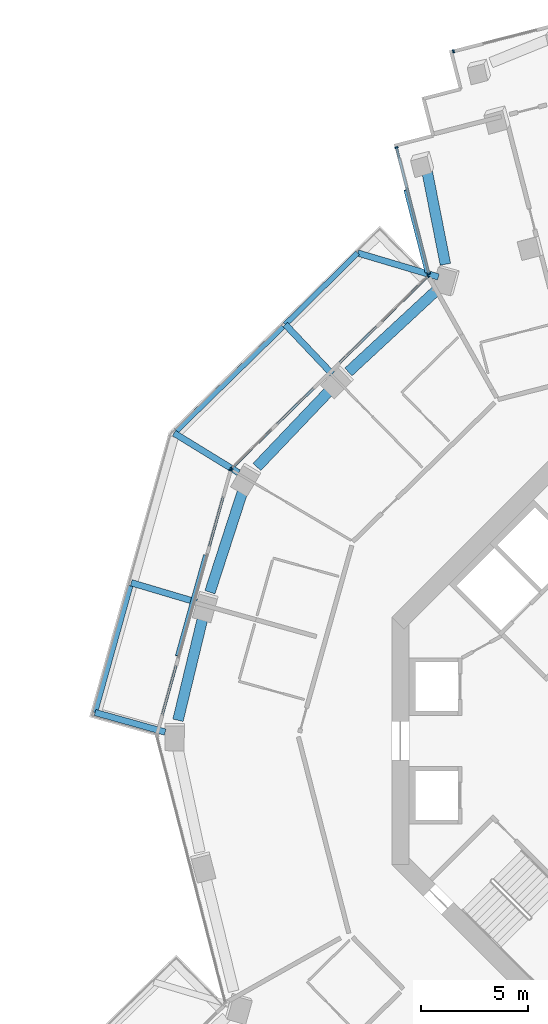
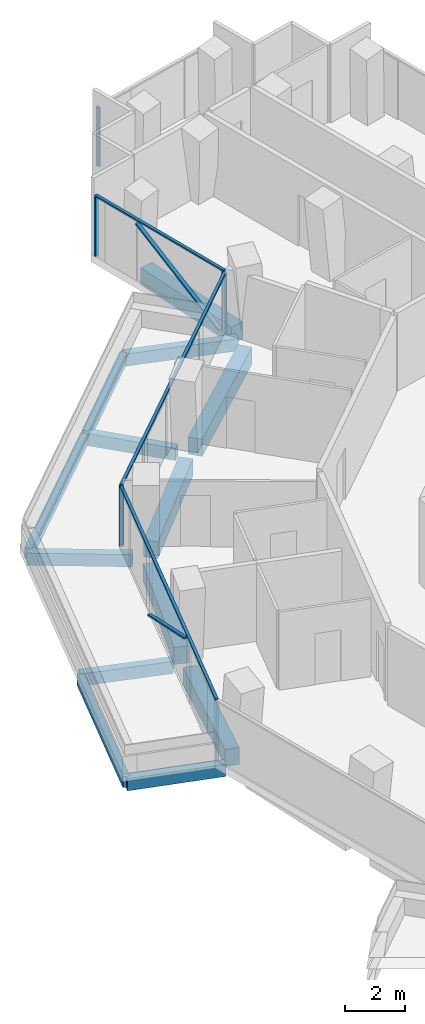
# One storey, part 7 of 26: 13 beams, 11 members, 4 elements without a shape of their own.
"""IFC4 building model written with IfcOpenShell, lengths in metres."""

import ifcopenshell
import ifcopenshell.guid

model = None  # the IFC model being written
_history = None  # IfcOwnerHistory: only IFC2X3 demands one
_inside = {}  # id of a spatial element -> (the spatial element, [elements in it])
_under = {}  # id of a project, library or spatial element -> (it, [spatial elements below it])
_declared = {}  # id of a project -> (the project, [libraries it declares])
_typed = {}  # id of a type object -> (the type object, [elements of that type])
_made_of = {}  # id of a material, layer set ... -> (it, [elements and type objects made of it])


def new_model(schema):
    """Start an empty IFC model of exactly this schema.

    Asked for "IFC4X3", IfcOpenShell would pick the latest addendum, in which some entities
    have other attributes; the version numbers below select the first issue.
    IFC2X3 requires an IfcOwnerHistory on every rooted entity: one is made here for all.
    """
    global model, _history
    if schema == "IFC4X3":
        model = ifcopenshell.file(schema_version=(4, 3, 0, 0))
    else:
        model = ifcopenshell.file(schema=schema)
    _inside.clear()
    _under.clear()
    _declared.clear()
    _typed.clear()
    _made_of.clear()
    _history = None
    if model.schema == "IFC2X3":
        org = make("IfcOrganization", Name="unknown")
        user = make(
            "IfcPersonAndOrganization",
            ThePerson=make("IfcPerson", FamilyName="unknown"),
            TheOrganization=org,
        )
        app = make(
            "IfcApplication",
            ApplicationDeveloper=org,
            Version="unknown",
            ApplicationFullName="unknown",
            ApplicationIdentifier="unknown",
        )
        _history = make(
            "IfcOwnerHistory",
            OwningUser=user,
            OwningApplication=app,
            ChangeAction="ADDED",
            CreationDate=0,
        )
    return model


def make(cls, **values):
    """One entity of the class cls with the attributes given. An attribute that is None is left unset."""
    return model.create_entity(
        cls, **{name: value for name, value in values.items() if value is not None}
    )


def rooted(cls, **values):
    """An entity with a GlobalId (a new one), such as an element, a storey or a relation."""
    return make(cls, GlobalId=ifcopenshell.guid.new(), OwnerHistory=_history, **values)


def si_unit(unit_type, name, prefix=None):
    """IfcSIUnit, for example si_unit("LENGTHUNIT", "METRE", prefix="MILLI")."""
    return make("IfcSIUnit", UnitType=unit_type, Prefix=prefix, Name=name)


def assignment(units):
    """IfcUnitAssignment: the units of a project."""
    return None if units is None else make("IfcUnitAssignment", Units=units)


def point(xyz):
    """IfcCartesianPoint."""
    return None if xyz is None else make("IfcCartesianPoint", Coordinates=xyz)


def direction(xyz):
    """IfcDirection."""
    return None if xyz is None else make("IfcDirection", DirectionRatios=xyz)


def frame(location, z_axis=None, x_axis=None):
    """IfcAxis2Placement3D, a coordinate frame: its origin and axes. An axis left out is left unset."""
    return make(
        "IfcAxis2Placement3D",
        Location=point(location),
        Axis=direction(z_axis),
        RefDirection=direction(x_axis),
    )


def frame_2d(location, x_axis=None):
    """IfcAxis2Placement2D, a coordinate frame in the plane: its origin and x axis."""
    return make(
        "IfcAxis2Placement2D", Location=point(location), RefDirection=direction(x_axis)
    )


def origin():
    """The frame at (0, 0, 0) with its axes left unset."""
    return frame((0.0, 0.0, 0.0))


def origin_2d():
    """The frame at (0, 0) in the plane with its x axis left unset."""
    return frame_2d((0.0, 0.0))


def place(relative_to, where):
    """IfcLocalPlacement: puts the frame where relative to a parent placement (None: the world)."""
    return make(
        "IfcLocalPlacement", PlacementRelTo=relative_to, RelativePlacement=where
    )


def context(
    kind, dimensions, precision=None, world=None, true_north=None, identifier=None
):
    """IfcGeometricRepresentationContext, for example the 3D "Model" context."""
    return make(
        "IfcGeometricRepresentationContext",
        ContextIdentifier=identifier,
        ContextType=kind,
        CoordinateSpaceDimension=dimensions,
        Precision=precision,
        WorldCoordinateSystem=world,
        TrueNorth=true_north,
    )


def subcontext(parent, identifier, kind, view, scale=None):
    """IfcGeometricRepresentationSubContext, for example "Body" below "Model"."""
    return make(
        "IfcGeometricRepresentationSubContext",
        ContextIdentifier=identifier,
        ContextType=kind,
        ParentContext=parent,
        TargetScale=scale,
        TargetView=view,
    )


def project(units=None, contexts=None):
    """IfcProject with its units and contexts."""
    return rooted(
        "IfcProject",
        Name="project",
        RepresentationContexts=contexts,
        UnitsInContext=assignment(units),
    )


def spatial(cls, under=None, at=None, **own):
    """A site, building, storey or space (cls), placed at a placement, below another one or the project."""
    s = rooted(cls, ObjectPlacement=at, **own)
    if under is not None:
        _under.setdefault(under.id(), (under, []))[1].append(s)
    return s


def profile(cls, at=None, kind="AREA", **sizes):
    """A parametric profile (cls). Its sizes go by their IFC names, for example OverallWidth=200.0."""
    return make(cls, ProfileType=kind, Position=at, **sizes)


def rectangle(**sizes):
    """IfcRectangleProfileDef."""
    return profile("IfcRectangleProfileDef", **sizes)


def extrude(swept, where, along, depth):
    """IfcExtrudedAreaSolid: the profile swept, set in the frame where, extruded along a direction by depth."""
    return make(
        "IfcExtrudedAreaSolid",
        SweptArea=swept,
        Position=where,
        ExtrudedDirection=direction(along),
        Depth=depth,
    )


def shape(context_of_items, identifier, shape_type, items):
    """IfcShapeRepresentation: the items that make up one representation, for example the "Body"."""
    return make(
        "IfcShapeRepresentation",
        ContextOfItems=context_of_items,
        RepresentationIdentifier=identifier,
        RepresentationType=shape_type,
        Items=items,
    )


def material(Name=None, Category=None):
    """IfcMaterial."""
    return make("IfcMaterial", Name=Name, Category=Category)


def layer(
    of_material, thickness, ventilated=None, Name=None, Category=None, Priority=None
):
    """IfcMaterialLayer: one layer of a wall or slab, of a material (None: an air gap)."""
    return make(
        "IfcMaterialLayer",
        Material=of_material,
        LayerThickness=thickness,
        IsVentilated=ventilated,
        Name=Name,
        Category=Category,
        Priority=Priority,
    )


def layer_set(layers, Name=None):
    """IfcMaterialLayerSet."""
    return make("IfcMaterialLayerSet", MaterialLayers=layers, LayerSetName=Name)


def material_profile(
    of_material, cross_section, Name=None, Category=None, Priority=None
):
    """IfcMaterialProfile: a cross section and its material."""
    return make(
        "IfcMaterialProfile",
        Name=Name,
        Material=of_material,
        Profile=cross_section,
        Priority=Priority,
        Category=Category,
    )


def profile_set(profiles, Name=None, composite=None):
    """IfcMaterialProfileSet."""
    return make(
        "IfcMaterialProfileSet",
        Name=Name,
        MaterialProfiles=profiles,
        CompositeProfile=composite,
    )


def made_of(thing, what):
    """Note that an element or type object is made of a material, layer set ...; save() writes the relation."""
    if what is not None:
        _made_of.setdefault(what.id(), (what, []))[1].append(thing)
    return thing


def type_object(cls, material=None, **own):
    """A type object (cls), such as IfcWallType, which elements share."""
    return made_of(rooted(cls, **own), material)


def element(
    cls,
    number,
    at=None,
    inside=None,
    cuts=None,
    type_object=None,
    material=None,
    context=None,
    identifier="Body",
    shape_type=None,
    held_by="IfcProductDefinitionShape",
    body=None,
    shapes=None,
    **own,
):
    """One element of the class cls, such as IfcWall. Its Tag is "e" and its number.

    at: its placement. inside: the storey or other place that contains it. cuts: it is an
    opening in that element (IfcRelVoidsElement). A single representation is given by context,
    identifier, shape_type and body (its items); several are given by shapes. held_by: the class
    of the entity that holds the representations. save() writes the other relations.
    """
    e = rooted(cls, Tag="e%d" % number, ObjectPlacement=at, **own)
    if body is not None:
        shapes = [shape(context, identifier, shape_type, body)]
    if shapes is not None:
        e.Representation = make(held_by, Representations=shapes)
    if inside is not None:
        _inside.setdefault(inside.id(), (inside, []))[1].append(e)
    if cuts is not None:
        rooted(
            "IfcRelVoidsElement", RelatingBuildingElement=cuts, RelatedOpeningElement=e
        )
    if type_object is not None:
        _typed.setdefault(type_object.id(), (type_object, []))[1].append(e)
    return made_of(e, material)


def aggregate(whole, parts):
    """IfcRelAggregates: a whole, such as a stair, and the parts it consists of."""
    return rooted("IfcRelAggregates", RelatingObject=whole, RelatedObjects=parts)


def save(model, path):
    """Write the relations noted so far, then the file.

    IfcRelAggregates (storeys below a building ...), IfcRelContainedInSpatialStructure (elements
    in a storey), IfcRelDefinesByType, IfcRelAssociatesMaterial and IfcRelDeclares: one each for
    every whole, place, type object, material and project.
    """
    for whole, parts in _under.values():
        aggregate(whole, parts)
    for where, things in _inside.values():
        rooted(
            "IfcRelContainedInSpatialStructure",
            RelatedElements=things,
            RelatingStructure=where,
        )
    for kind, things in _typed.values():
        rooted("IfcRelDefinesByType", RelatedObjects=things, RelatingType=kind)
    for what, things in _made_of.values():
        rooted("IfcRelAssociatesMaterial", RelatedObjects=things, RelatingMaterial=what)
    for by, libraries in _declared.values():
        rooted("IfcRelDeclares", RelatingContext=by, RelatedDefinitions=libraries)
    model.write(path)


model = new_model("IFC4")

# Units and contexts
model_context = context("Model", 3, precision=1e-05, world=origin(), true_north=direction((0.0, 1.0)))
body_context = subcontext(model_context, "Body", "Model", "MODEL_VIEW")
ifc_project = project(units=[si_unit("LENGTHUNIT", "METRE"), si_unit("AREAUNIT", "SQUARE_METRE"), si_unit("VOLUMEUNIT", "CUBIC_METRE"), si_unit("PLANEANGLEUNIT", "RADIAN"), si_unit("MASSUNIT", "GRAM", prefix="KILO")], contexts=[model_context])

# Site, building, storey
site_placement = place(None, origin())
site = spatial("IfcSite", under=ifc_project, at=site_placement, CompositionType="ELEMENT")
building_placement = place(site_placement, origin())
building = spatial("IfcBuilding", under=site, at=building_placement, Name="Verdalira Terraces Hotel", CompositionType="ELEMENT")
storey_placement = place(building_placement, frame((0.0, 0.0, 93.0)))
storey = spatial("IfcBuildingStorey", under=building, at=storey_placement, Name="L21", CompositionType="ELEMENT", Elevation=93.0)

# Beams
ifc_material_1 = material(Name="Concrete C40", Category="concrete")
ifc_material_profile_1 = material_profile(ifc_material_1, rectangle(XDim=0.300049, YDim=0.5, at=origin_2d()), Name="RC 300X500")
ifc_profile_set_1 = profile_set([ifc_material_profile_1], Name="Concrete C40")
beam_type_1 = type_object("IfcBeamType", Name="Balcony cantilever beam RC 300X500 C40", PredefinedType="BEAM", material=ifc_profile_set_1)
beam_1_placement = place(storey_placement, frame((-23.1604, 6.510742, -0.560059), z_axis=(-0.958518336, 0.285030876, 0.0), x_axis=(-0.285030876, -0.958518336, 0.0)))
element("IfcBeam", 1, at=beam_1_placement, inside=storey, type_object=beam_type_1, Name="Balcony cantilever beam R11-1", PredefinedType="BEAM", context=body_context, shape_type="SweptSolid", body=[
    extrude(rectangle(XDim=0.300049, YDim=0.5, at=origin_2d()), origin(), (0.0, 0.0, 1.0), 3.200928),
])
beam_2_placement = place(storey_placement, frame((-24.637451, 0.414062, -0.560059), z_axis=(-0.963161879, 0.268922284, 0.0), x_axis=(-0.268922284, -0.963161879, 0.0)))
element("IfcBeam", 2, at=beam_2_placement, inside=storey, type_object=beam_type_1, Name="Balcony cantilever beam R11-2", PredefinedType="BEAM", context=body_context, shape_type="SweptSolid", body=[
    extrude(rectangle(XDim=0.300049, YDim=0.5, at=origin_2d()), origin(), (0.0, 0.0, 1.0), 3.417236),
])
beam_3_placement = place(storey_placement, frame((-11.815674, 21.77002, -0.560059), z_axis=(-0.9585108, 0.285056217, 0.0), x_axis=(-0.285056217, -0.9585108, 0.0)))
element("IfcBeam", 3, at=beam_3_placement, inside=storey, type_object=beam_type_1, Name="Balcony cantilever beam R11-3", PredefinedType="BEAM", context=body_context, shape_type="SweptSolid", body=[
    extrude(rectangle(XDim=0.300049, YDim=0.5, at=origin_2d()), origin(), (0.0, 0.0, 1.0), 3.949951),
])
beam_4_placement = place(storey_placement, frame((-16.802002, 17.218506, -0.560059), z_axis=(-0.687585965, 0.726102982, 0.0), x_axis=(-0.726102982, -0.687585965, 0.0)))
element("IfcBeam", 4, at=beam_4_placement, inside=storey, type_object=beam_type_1, Name="Balcony cantilever beam R11-4", PredefinedType="BEAM", context=body_context, shape_type="SweptSolid", body=[
    extrude(rectangle(XDim=0.300049, YDim=0.5, at=origin_2d()), origin(), (0.0, 0.0, 1.0), 3.200928),
])
beam_5_placement = place(storey_placement, frame((-21.188721, 12.581299, -0.560059), z_axis=(-0.852079922, 0.523411698, 0.0), x_axis=(-0.523411698, -0.852079922, 0.0)))
element("IfcBeam", 5, at=beam_5_placement, inside=storey, type_object=beam_type_1, Name="Balcony cantilever beam R11-5", PredefinedType="BEAM", context=body_context, shape_type="SweptSolid", body=[
    extrude(rectangle(XDim=0.300049, YDim=0.5, at=origin_2d()), origin(), (0.0, 0.0, 1.0), 3.556641),
])
ifc_material_2 = material(Name="Concrete C40", Category="concrete")
ifc_material_profile_2 = material_profile(ifc_material_2, rectangle(XDim=0.25, YDim=0.449951, at=origin_2d()), Name="RC 250X450")
ifc_profile_set_2 = profile_set([ifc_material_profile_2], Name="Concrete C40")
beam_type_2 = type_object("IfcBeamType", Name="Balcony edge beam RC 250X450 C40", PredefinedType="BEAM", material=ifc_profile_set_2)
beam_6_placement = place(storey_placement, frame((-26.268799, 7.278564, -0.534912), z_axis=(-0.268902218, -0.963167481, 0.0), x_axis=(0.963167481, -0.268902218, 0.0)))
element("IfcBeam", 6, at=beam_6_placement, inside=storey, type_object=beam_type_2, Name="Balcony edge beam R11-1", PredefinedType="BEAM", context=body_context, shape_type="SweptSolid", body=[
    extrude(rectangle(XDim=0.25, YDim=0.449951, at=origin_2d()), origin(), (0.0, 0.0, 1.0), 6.172852),
])
beam_7_placement = place(storey_placement, frame((-15.601807, 22.895996, -0.534912), z_axis=(-0.712098415, -0.702079659, 0.0), x_axis=(0.702079659, -0.712098415, 0.0)))
element("IfcBeam", 7, at=beam_7_placement, inside=storey, type_object=beam_type_2, Name="Balcony edge beam R11-2", PredefinedType="BEAM", context=body_context, shape_type="SweptSolid", body=[
    extrude(rectangle(XDim=0.25, YDim=0.449951, at=origin_2d()), origin(), (0.0, 0.0, 1.0), 4.776123),
])
beam_8_placement = place(storey_placement, frame((-19.110107, 19.437744, -0.534912), z_axis=(-0.71505943, -0.699063668, 0.0), x_axis=(0.699063668, -0.71505943, 0.0)))
element("IfcBeam", 8, at=beam_8_placement, inside=storey, type_object=beam_type_2, Name="Balcony edge beam R11-3", PredefinedType="BEAM", context=body_context, shape_type="SweptSolid", body=[
    extrude(rectangle(XDim=0.25, YDim=0.449951, at=origin_2d()), origin(), (0.0, 0.0, 1.0), 6.990479),
])

# Curtain wall, members
ifc_material_3 = material(Name="Clear glass", Category="glass")
ifc_layer_1 = layer(ifc_material_3, 0.14990234375)
ifc_layer_set_1 = layer_set([ifc_layer_1], Name="CW1 curtain wall")
curtain_wall_type_1 = type_object("IfcCurtainWallType", Name="CW1 curtain wall", PredefinedType="NOTDEFINED", material=ifc_layer_set_1)
curtain_wall_1_placement = place(storey_placement, origin())
curtain_wall_1 = element("IfcCurtainWall", 9, at=curtain_wall_1_placement, inside=storey, type_object=curtain_wall_type_1, Name="CW1 curtain wall L21 edge 11", PredefinedType="NOTDEFINED")
ifc_material_4 = material(Name="Terracotta frame", Category="masonry")
ifc_material_profile_3 = material_profile(ifc_material_4, rectangle(XDim=0.060059, YDim=0.149902, at=origin_2d()), Name="MU 60x150")
ifc_profile_set_3 = profile_set([ifc_material_profile_3], Name="Terracotta frame")
member_type_1 = type_object("IfcMemberType", Name="CW1 mullion 60x150", PredefinedType="MULLION", material=ifc_profile_set_3)
member_1_placement = place(storey_placement, frame((-12.297607, 21.805176, 0.0), z_axis=(0.0, 0.0, 1.0), x_axis=(-0.71447268, -0.699663341, 0.0)))
member_1 = element("IfcMember", 10, at=member_1_placement, type_object=member_type_1, Name="CW1 mullion", PredefinedType="MULLION", context=body_context, shape_type="SweptSolid", body=[
    extrude(rectangle(XDim=0.060059, YDim=0.149902, at=origin_2d()), origin(), (0.0, 0.0, 1.0), 2.425049),
])
member_2_placement = place(storey_placement, frame((-21.51416, 12.779541, 0.0), z_axis=(0.0, 0.0, 1.0), x_axis=(-0.71447268, -0.699663341, 0.0)))
member_2 = element("IfcMember", 11, at=member_2_placement, type_object=member_type_1, Name="CW1 mullion", PredefinedType="MULLION", context=body_context, shape_type="SweptSolid", body=[
    extrude(rectangle(XDim=0.060059, YDim=0.149902, at=origin_2d()), origin(), (0.0, 0.0, 1.0), 2.425049),
])

# Curtain wall, member
curtain_wall_2_placement = place(storey_placement, origin())
curtain_wall_2 = element("IfcCurtainWall", 12, at=curtain_wall_2_placement, inside=storey, type_object=curtain_wall_type_1, Name="CW1 curtain wall L21 edge 12", PredefinedType="NOTDEFINED")
member_3_placement = place(storey_placement, frame((-21.563477, 12.696289, 0.0), z_axis=(0.0, 0.0, 1.0), x_axis=(-0.268919821, -0.963162567, 0.0)))
member_3 = element("IfcMember", 13, at=member_3_placement, type_object=member_type_1, Name="CW1 mullion", PredefinedType="MULLION", context=body_context, shape_type="SweptSolid", body=[
    extrude(rectangle(XDim=0.060059, YDim=0.149902, at=origin_2d()), origin(), (0.0, 0.0, 1.0), 2.425049),
])

# Member
ifc_material_5 = material(Name="Terracotta frame", Category="masonry")
ifc_material_profile_4 = material_profile(ifc_material_5, rectangle(XDim=0.110107, YDim=0.064941, at=origin_2d()), Name="TR 65x110")
ifc_profile_set_4 = profile_set([ifc_material_profile_4], Name="Terracotta frame")
member_type_2 = type_object("IfcMemberType", Name="CW1 transom 65x110", PredefinedType="USERDEFINED", material=ifc_profile_set_4)
member_4_placement = place(storey_placement, frame((-12.276123, 21.826172, 2.45752), z_axis=(-0.714471384, -0.699664663, 0.0), x_axis=(0.699664663, -0.714471384, 0.0)))
member_4 = element("IfcMember", 14, at=member_4_placement, type_object=member_type_2, Name="CW1 transom", ObjectType="TRANSOM", PredefinedType="USERDEFINED", context=body_context, shape_type="SweptSolid", body=[
    extrude(rectangle(XDim=0.110107, YDim=0.064941, at=origin_2d()), origin(), (0.0, 0.0, 1.0), 12.959961),
])

aggregate(curtain_wall_1, [member_1, member_2, member_4])

member_5_placement = place(storey_placement, frame((-21.55542, 12.725342, 2.45752), z_axis=(-0.268900893, -0.963167851, 0.0), x_axis=(0.963167851, -0.268900893, 0.0)))
member_5 = element("IfcMember", 15, at=member_5_placement, type_object=member_type_2, Name="CW1 transom", ObjectType="TRANSOM", PredefinedType="USERDEFINED", context=body_context, shape_type="SweptSolid", body=[
    extrude(rectangle(XDim=0.110107, YDim=0.064941, at=origin_2d()), origin(), (0.0, 0.0, 1.0), 12.919678),
])

# Curtain wall, members
ifc_material_6 = material(Name="Clear glass", Category="glass")
ifc_layer_2 = layer(ifc_material_6, 0.14990234375)
ifc_layer_set_2 = layer_set([ifc_layer_2], Name="CW2 curtain wall")
curtain_wall_type_2 = type_object("IfcCurtainWallType", Name="CW2 curtain wall", PredefinedType="NOTDEFINED", material=ifc_layer_set_2)
curtain_wall_3_placement = place(storey_placement, origin())
curtain_wall_3 = element("IfcCurtainWall", 16, at=curtain_wall_3_placement, inside=storey, type_object=curtain_wall_type_2, Name="CW2 curtain wall L21 edge 10", PredefinedType="NOTDEFINED")
ifc_material_7 = material(Name="Terracotta frame", Category="masonry")
ifc_material_profile_5 = material_profile(ifc_material_7, rectangle(XDim=0.070068, YDim=0.149902, at=origin_2d()), Name="MU 70x150")
ifc_profile_set_5 = profile_set([ifc_material_profile_5], Name="Terracotta frame")
member_type_3 = type_object("IfcMemberType", Name="CW2 mullion 70x150", PredefinedType="MULLION", material=ifc_profile_set_5)
member_6_placement = place(storey_placement, frame((-13.782715, 27.844482, 0.0), z_axis=(0.0, 0.0, 1.0), x_axis=(0.248689887, -0.968583161, 0.0)))
member_6 = element("IfcMember", 17, at=member_6_placement, type_object=member_type_3, Name="CW2 mullion", PredefinedType="MULLION", context=body_context, shape_type="SweptSolid", body=[
    extrude(rectangle(XDim=0.070068, YDim=0.149902, at=origin_2d()), origin(), (0.0, 0.0, 1.0), 2.425049),
])
member_7_placement = place(storey_placement, frame((-12.264648, 21.932373, 0.0), z_axis=(0.0, 0.0, 1.0), x_axis=(0.248689887, -0.968583161, 0.0)))
member_7 = element("IfcMember", 18, at=member_7_placement, type_object=member_type_3, Name="CW2 mullion", PredefinedType="MULLION", context=body_context, shape_type="SweptSolid", body=[
    extrude(rectangle(XDim=0.070068, YDim=0.149902, at=origin_2d()), origin(), (0.0, 0.0, 1.0), 2.425049),
])
ifc_material_8 = material(Name="Terracotta frame", Category="masonry")
ifc_material_profile_6 = material_profile(ifc_material_8, rectangle(XDim=0.11499, YDim=0.064941, at=origin_2d()), Name="TR 65x115")
ifc_profile_set_6 = profile_set([ifc_material_profile_6], Name="Terracotta frame")
member_type_4 = type_object("IfcMemberType", Name="CW2 transom 65x115", PredefinedType="USERDEFINED", material=ifc_profile_set_6)
member_8_placement = place(storey_placement, frame((-13.79126, 27.878418, 2.45752), z_axis=(0.248690247, -0.968583069, 0.0), x_axis=(0.968583069, 0.248690247, 0.0)))
member_8 = element("IfcMember", 19, at=member_8_placement, type_object=member_type_4, Name="CW2 transom", ObjectType="TRANSOM", PredefinedType="USERDEFINED", context=body_context, shape_type="SweptSolid", body=[
    extrude(rectangle(XDim=0.11499, YDim=0.064941, at=origin_2d()), origin(), (0.0, 0.0, 1.0), 6.173828),
])

# Curtain wall, member
ifc_material_9 = material(Name="Clear glass", Category="glass")
ifc_layer_3 = layer(ifc_material_9, 0.14990234375)
ifc_layer_set_3 = layer_set([ifc_layer_3], Name="CW3 curtain wall")
curtain_wall_type_3 = type_object("IfcCurtainWallType", Name="CW3 curtain wall", PredefinedType="NOTDEFINED", material=ifc_layer_set_3)
curtain_wall_4_placement = place(storey_placement, origin())
curtain_wall_4 = element("IfcCurtainWall", 20, at=curtain_wall_4_placement, inside=storey, type_object=curtain_wall_type_3, Name="CW3 curtain wall L21 edge 5", PredefinedType="NOTDEFINED")
ifc_material_10 = material(Name="Terracotta frame", Category="masonry")
ifc_material_profile_7 = material_profile(ifc_material_10, rectangle(XDim=0.080078, YDim=0.149902, at=origin_2d()), Name="MU 80x150")
ifc_profile_set_7 = profile_set([ifc_material_profile_7], Name="Terracotta frame")
member_type_5 = type_object("IfcMemberType", Name="CW3 mullion 80x150", PredefinedType="MULLION", material=ifc_profile_set_7)
member_9_placement = place(storey_placement, frame((-11.106934, 32.361816, 0.0), z_axis=(0.0, 0.0, 1.0), x_axis=(-0.968583161, -0.248689887, 0.0)))
member_9 = element("IfcMember", 21, at=member_9_placement, type_object=member_type_5, Name="CW3 mullion", PredefinedType="MULLION", context=body_context, shape_type="SweptSolid", body=[
    extrude(rectangle(XDim=0.080078, YDim=0.149902, at=origin_2d()), origin(), (0.0, 0.0, 1.0), 2.425049),
])
aggregate(curtain_wall_4, [member_9])

# Member
ifc_material_11 = material(Name="Terracotta frame", Category="masonry")
ifc_material_profile_8 = material_profile(ifc_material_11, rectangle(XDim=0.149902, YDim=0.060059, at=origin_2d()), Name="GB 60x150")
ifc_profile_set_8 = profile_set([ifc_material_profile_8], Name="Terracotta frame")
member_type_6 = type_object("IfcMemberType", Name="Diagonal glazing bar 60x150", PredefinedType="USERDEFINED", material=ifc_profile_set_8)
member_10_placement = place(storey_placement, frame((-13.365967, 25.855225, 2.398193), z_axis=(0.21384134, -0.832814246, -0.510580368), x_axis=(0.968580084, 0.248701873, 0.0)))
member_10 = element("IfcMember", 22, at=member_10_placement, type_object=member_type_6, Name="Diagonal glazing bar", ObjectType="GLAZING BAR", PredefinedType="USERDEFINED", context=body_context, shape_type="SweptSolid", body=[
    extrude(rectangle(XDim=0.149902, YDim=0.060059, at=origin_2d()), origin(), (0.0, 0.0, 1.0), 4.644287),
])

aggregate(curtain_wall_3, [member_6, member_7, member_8, member_10])

member_11_placement = place(storey_placement, frame((-22.766602, 8.717773, 0.027832), z_axis=(-0.242157507, -0.867312832, 0.434888713), x_axis=(0.963162736, -0.268919216, 0.0)))
member_11 = element("IfcMember", 23, at=member_11_placement, type_object=member_type_6, Name="Diagonal glazing bar", ObjectType="GLAZING BAR", PredefinedType="USERDEFINED", context=body_context, shape_type="SweptSolid", body=[
    extrude(rectangle(XDim=0.149902, YDim=0.060059, at=origin_2d()), origin(), (0.0, 0.0, 1.0), 5.448242),
])

aggregate(curtain_wall_2, [member_3, member_5, member_11])

# Beams
ifc_material_12 = material(Name="Concrete C70", Category="concrete")
ifc_material_profile_9 = material_profile(ifc_material_12, rectangle(XDim=0.5, YDim=0.699951, at=origin_2d()), Name="RC 500X700")
ifc_profile_set_9 = profile_set([ifc_material_profile_9], Name="Concrete C70")
beam_type_3 = type_object("IfcBeamType", Name="Spandrel beam RC 500X700 C70", PredefinedType="SPANDREL", material=ifc_profile_set_9)
beam_9_placement = place(storey_placement, frame((-12.383057, 26.921631, -0.659912), z_axis=(0.193051731, -0.98118858, 0.0), x_axis=(0.98118858, 0.193051731, 0.0)))
element("IfcBeam", 24, at=beam_9_placement, inside=storey, type_object=beam_type_3, Name="Spandrel beam B03", PredefinedType="SPANDREL", context=body_context, shape_type="SweptSolid", body=[
    extrude(rectangle(XDim=0.5, YDim=0.699951, at=origin_2d()), origin(), (0.0, 0.0, 1.0), 4.643799),
])
beam_10_placement = place(storey_placement, frame((-11.878906, 21.168457, -0.659912), z_axis=(-0.733478452, -0.679712704, 0.0), x_axis=(0.679712704, -0.733478452, 0.0)))
element("IfcBeam", 25, at=beam_10_placement, inside=storey, type_object=beam_type_3, Name="Spandrel beam B04", PredefinedType="SPANDREL", context=body_context, shape_type="SweptSolid", body=[
    extrude(rectangle(XDim=0.5, YDim=0.699951, at=origin_2d()), origin(), (0.0, 0.0, 1.0), 5.671387),
])
beam_11_placement = place(storey_placement, frame((-16.876221, 16.486328, -0.659912), z_axis=(-0.689428911, -0.724353351, 0.0), x_axis=(0.724353351, -0.689428911, 0.0)))
element("IfcBeam", 26, at=beam_11_placement, inside=storey, type_object=beam_type_3, Name="Spandrel beam B05", PredefinedType="SPANDREL", context=body_context, shape_type="SweptSolid", body=[
    extrude(rectangle(XDim=0.5, YDim=0.699951, at=origin_2d()), origin(), (0.0, 0.0, 1.0), 5.012207),
])
beam_12_placement = place(storey_placement, frame((-20.989258, 11.748291, -0.659912), z_axis=(-0.308623738, -0.951184203, 0.0), x_axis=(0.951184203, -0.308623738, 0.0)))
element("IfcBeam", 27, at=beam_12_placement, inside=storey, type_object=beam_type_3, Name="Spandrel beam B06", PredefinedType="SPANDREL", context=body_context, shape_type="SweptSolid", body=[
    extrude(rectangle(XDim=0.5, YDim=0.699951, at=origin_2d()), origin(), (0.0, 0.0, 1.0), 5.015381),
])
beam_13_placement = place(storey_placement, frame((-22.858398, 5.8396, -0.659912), z_axis=(-0.234918268, -0.972015127, 0.0), x_axis=(0.972015127, -0.234918268, 0.0)))
element("IfcBeam", 28, at=beam_13_placement, inside=storey, type_object=beam_type_3, Name="Spandrel beam B07", PredefinedType="SPANDREL", context=body_context, shape_type="SweptSolid", body=[
    extrude(rectangle(XDim=0.5, YDim=0.699951, at=origin_2d()), origin(), (0.0, 0.0, 1.0), 5.012451),
])

save(model, "model.ifc")
